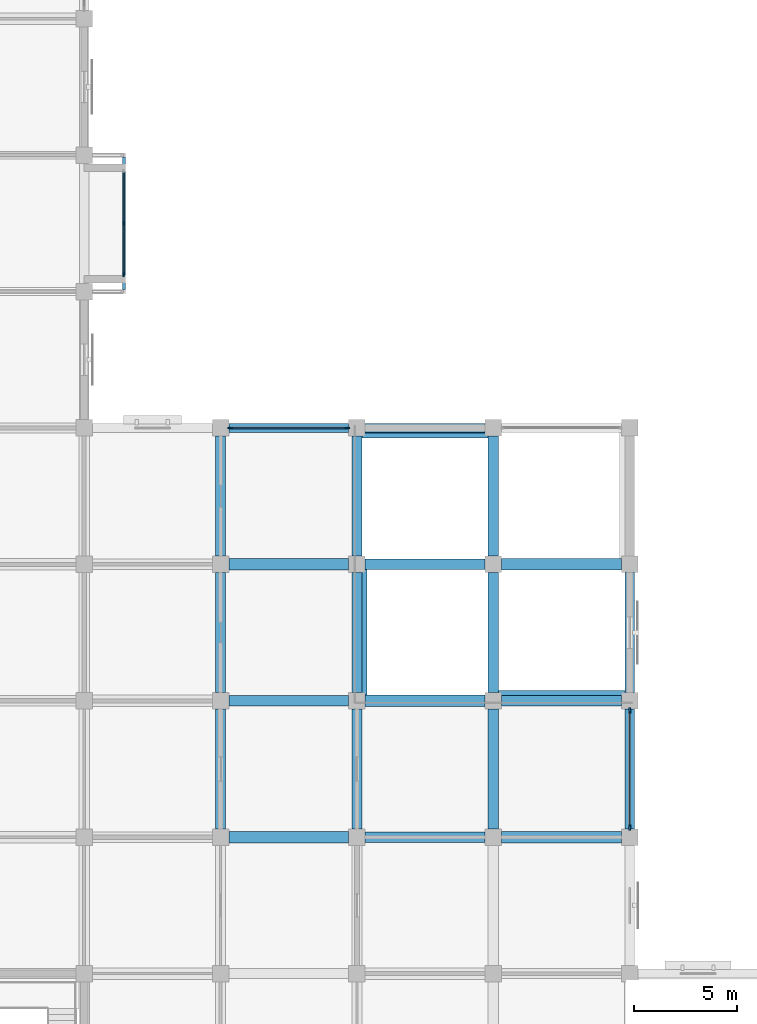
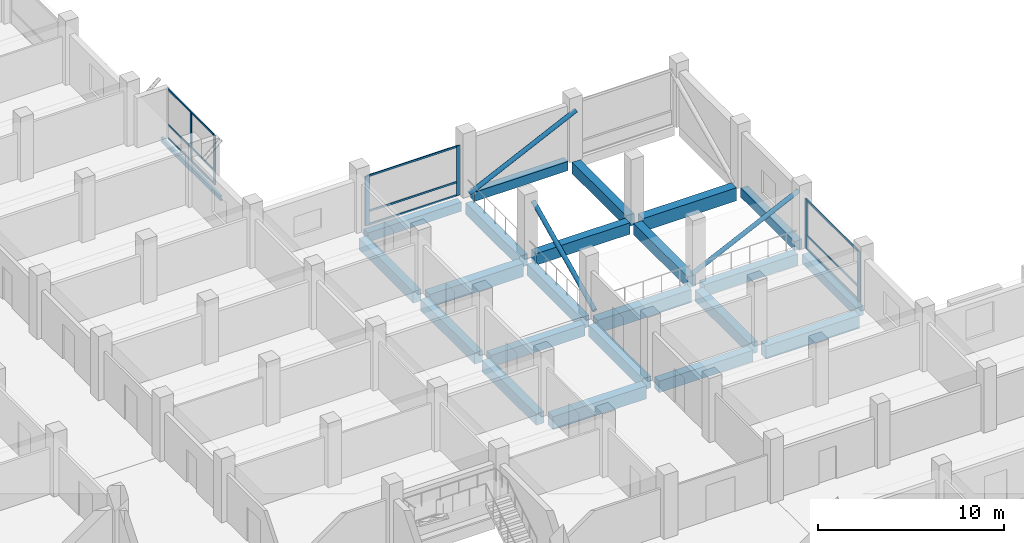
# One storey, part 5 of 30: 23 beams, 21 members, 3 elements without a shape of their own.
"""IFC4 building model written with IfcOpenShell, lengths in metres."""

import ifcopenshell
import ifcopenshell.guid

model = None  # the IFC model being written
_history = None  # IfcOwnerHistory: only IFC2X3 demands one
_inside = {}  # id of a spatial element -> (the spatial element, [elements in it])
_under = {}  # id of a project, library or spatial element -> (it, [spatial elements below it])
_declared = {}  # id of a project -> (the project, [libraries it declares])
_typed = {}  # id of a type object -> (the type object, [elements of that type])
_made_of = {}  # id of a material, layer set ... -> (it, [elements and type objects made of it])


def new_model(schema):
    """Start an empty IFC model of exactly this schema.

    Asked for "IFC4X3", IfcOpenShell would pick the latest addendum, in which some entities
    have other attributes; the version numbers below select the first issue.
    IFC2X3 requires an IfcOwnerHistory on every rooted entity: one is made here for all.
    """
    global model, _history
    if schema == "IFC4X3":
        model = ifcopenshell.file(schema_version=(4, 3, 0, 0))
    else:
        model = ifcopenshell.file(schema=schema)
    _inside.clear()
    _under.clear()
    _declared.clear()
    _typed.clear()
    _made_of.clear()
    _history = None
    if model.schema == "IFC2X3":
        org = make("IfcOrganization", Name="unknown")
        user = make(
            "IfcPersonAndOrganization",
            ThePerson=make("IfcPerson", FamilyName="unknown"),
            TheOrganization=org,
        )
        app = make(
            "IfcApplication",
            ApplicationDeveloper=org,
            Version="unknown",
            ApplicationFullName="unknown",
            ApplicationIdentifier="unknown",
        )
        _history = make(
            "IfcOwnerHistory",
            OwningUser=user,
            OwningApplication=app,
            ChangeAction="ADDED",
            CreationDate=0,
        )
    return model


def make(cls, **values):
    """One entity of the class cls with the attributes given. An attribute that is None is left unset."""
    return model.create_entity(
        cls, **{name: value for name, value in values.items() if value is not None}
    )


def rooted(cls, **values):
    """An entity with a GlobalId (a new one), such as an element, a storey or a relation."""
    return make(cls, GlobalId=ifcopenshell.guid.new(), OwnerHistory=_history, **values)


def si_unit(unit_type, name, prefix=None):
    """IfcSIUnit, for example si_unit("LENGTHUNIT", "METRE", prefix="MILLI")."""
    return make("IfcSIUnit", UnitType=unit_type, Prefix=prefix, Name=name)


def assignment(units):
    """IfcUnitAssignment: the units of a project."""
    return None if units is None else make("IfcUnitAssignment", Units=units)


def point(xyz):
    """IfcCartesianPoint."""
    return None if xyz is None else make("IfcCartesianPoint", Coordinates=xyz)


def direction(xyz):
    """IfcDirection."""
    return None if xyz is None else make("IfcDirection", DirectionRatios=xyz)


def frame(location, z_axis=None, x_axis=None):
    """IfcAxis2Placement3D, a coordinate frame: its origin and axes. An axis left out is left unset."""
    return make(
        "IfcAxis2Placement3D",
        Location=point(location),
        Axis=direction(z_axis),
        RefDirection=direction(x_axis),
    )


def frame_2d(location, x_axis=None):
    """IfcAxis2Placement2D, a coordinate frame in the plane: its origin and x axis."""
    return make(
        "IfcAxis2Placement2D", Location=point(location), RefDirection=direction(x_axis)
    )


def origin():
    """The frame at (0, 0, 0) with its axes left unset."""
    return frame((0.0, 0.0, 0.0))


def origin_2d():
    """The frame at (0, 0) in the plane with its x axis left unset."""
    return frame_2d((0.0, 0.0))


def place(relative_to, where):
    """IfcLocalPlacement: puts the frame where relative to a parent placement (None: the world)."""
    return make(
        "IfcLocalPlacement", PlacementRelTo=relative_to, RelativePlacement=where
    )


def context(
    kind, dimensions, precision=None, world=None, true_north=None, identifier=None
):
    """IfcGeometricRepresentationContext, for example the 3D "Model" context."""
    return make(
        "IfcGeometricRepresentationContext",
        ContextIdentifier=identifier,
        ContextType=kind,
        CoordinateSpaceDimension=dimensions,
        Precision=precision,
        WorldCoordinateSystem=world,
        TrueNorth=true_north,
    )


def subcontext(parent, identifier, kind, view, scale=None):
    """IfcGeometricRepresentationSubContext, for example "Body" below "Model"."""
    return make(
        "IfcGeometricRepresentationSubContext",
        ContextIdentifier=identifier,
        ContextType=kind,
        ParentContext=parent,
        TargetScale=scale,
        TargetView=view,
    )


def project(units=None, contexts=None):
    """IfcProject with its units and contexts."""
    return rooted(
        "IfcProject",
        Name="project",
        RepresentationContexts=contexts,
        UnitsInContext=assignment(units),
    )


def spatial(cls, under=None, at=None, **own):
    """A site, building, storey or space (cls), placed at a placement, below another one or the project."""
    s = rooted(cls, ObjectPlacement=at, **own)
    if under is not None:
        _under.setdefault(under.id(), (under, []))[1].append(s)
    return s


def profile(cls, at=None, kind="AREA", **sizes):
    """A parametric profile (cls). Its sizes go by their IFC names, for example OverallWidth=200.0."""
    return make(cls, ProfileType=kind, Position=at, **sizes)


def rectangle(**sizes):
    """IfcRectangleProfileDef."""
    return profile("IfcRectangleProfileDef", **sizes)


def hollow_circle(**sizes):
    """IfcCircleHollowProfileDef."""
    return profile("IfcCircleHollowProfileDef", **sizes)


def i_section(**sizes):
    """IfcIShapeProfileDef."""
    return profile("IfcIShapeProfileDef", **sizes)


def extrude(swept, where, along, depth):
    """IfcExtrudedAreaSolid: the profile swept, set in the frame where, extruded along a direction by depth."""
    return make(
        "IfcExtrudedAreaSolid",
        SweptArea=swept,
        Position=where,
        ExtrudedDirection=direction(along),
        Depth=depth,
    )


def shape(context_of_items, identifier, shape_type, items):
    """IfcShapeRepresentation: the items that make up one representation, for example the "Body"."""
    return make(
        "IfcShapeRepresentation",
        ContextOfItems=context_of_items,
        RepresentationIdentifier=identifier,
        RepresentationType=shape_type,
        Items=items,
    )


def material(Name=None, Category=None):
    """IfcMaterial."""
    return make("IfcMaterial", Name=Name, Category=Category)


def material_profile(
    of_material, cross_section, Name=None, Category=None, Priority=None
):
    """IfcMaterialProfile: a cross section and its material."""
    return make(
        "IfcMaterialProfile",
        Name=Name,
        Material=of_material,
        Profile=cross_section,
        Priority=Priority,
        Category=Category,
    )


def profile_set(profiles, Name=None, composite=None):
    """IfcMaterialProfileSet."""
    return make(
        "IfcMaterialProfileSet",
        Name=Name,
        MaterialProfiles=profiles,
        CompositeProfile=composite,
    )


def made_of(thing, what):
    """Note that an element or type object is made of a material, layer set ...; save() writes the relation."""
    if what is not None:
        _made_of.setdefault(what.id(), (what, []))[1].append(thing)
    return thing


def type_object(cls, material=None, **own):
    """A type object (cls), such as IfcWallType, which elements share."""
    return made_of(rooted(cls, **own), material)


def element(
    cls,
    number,
    at=None,
    inside=None,
    cuts=None,
    type_object=None,
    material=None,
    context=None,
    identifier="Body",
    shape_type=None,
    held_by="IfcProductDefinitionShape",
    body=None,
    shapes=None,
    **own,
):
    """One element of the class cls, such as IfcWall. Its Tag is "e" and its number.

    at: its placement. inside: the storey or other place that contains it. cuts: it is an
    opening in that element (IfcRelVoidsElement). A single representation is given by context,
    identifier, shape_type and body (its items); several are given by shapes. held_by: the class
    of the entity that holds the representations. save() writes the other relations.
    """
    e = rooted(cls, Tag="e%d" % number, ObjectPlacement=at, **own)
    if body is not None:
        shapes = [shape(context, identifier, shape_type, body)]
    if shapes is not None:
        e.Representation = make(held_by, Representations=shapes)
    if inside is not None:
        _inside.setdefault(inside.id(), (inside, []))[1].append(e)
    if cuts is not None:
        rooted(
            "IfcRelVoidsElement", RelatingBuildingElement=cuts, RelatedOpeningElement=e
        )
    if type_object is not None:
        _typed.setdefault(type_object.id(), (type_object, []))[1].append(e)
    return made_of(e, material)


def aggregate(whole, parts):
    """IfcRelAggregates: a whole, such as a stair, and the parts it consists of."""
    return rooted("IfcRelAggregates", RelatingObject=whole, RelatedObjects=parts)


def save(model, path):
    """Write the relations noted so far, then the file.

    IfcRelAggregates (storeys below a building ...), IfcRelContainedInSpatialStructure (elements
    in a storey), IfcRelDefinesByType, IfcRelAssociatesMaterial and IfcRelDeclares: one each for
    every whole, place, type object, material and project.
    """
    for whole, parts in _under.values():
        aggregate(whole, parts)
    for where, things in _inside.values():
        rooted(
            "IfcRelContainedInSpatialStructure",
            RelatedElements=things,
            RelatingStructure=where,
        )
    for kind, things in _typed.values():
        rooted("IfcRelDefinesByType", RelatedObjects=things, RelatingType=kind)
    for what, things in _made_of.values():
        rooted("IfcRelAssociatesMaterial", RelatedObjects=things, RelatingMaterial=what)
    for by, libraries in _declared.values():
        rooted("IfcRelDeclares", RelatingContext=by, RelatedDefinitions=libraries)
    model.write(path)


model = new_model("IFC4")

# Units and contexts
model_context = context("Model", 3, precision=1e-05, world=origin(), true_north=direction((0.0, 1.0)))
body_context = subcontext(model_context, "Body", "Model", "MODEL_VIEW")
ifc_project = project(units=[si_unit("LENGTHUNIT", "METRE"), si_unit("AREAUNIT", "SQUARE_METRE"), si_unit("VOLUMEUNIT", "CUBIC_METRE"), si_unit("PLANEANGLEUNIT", "RADIAN"), si_unit("MASSUNIT", "GRAM", prefix="KILO")], contexts=[model_context])

# Site, building, storey
site_placement = place(None, origin())
site = spatial("IfcSite", under=ifc_project, at=site_placement, CompositionType="ELEMENT")
building_placement = place(site_placement, origin())
building = spatial("IfcBuilding", under=site, at=building_placement, Name="Rusizi Kubbe Research Institute", CompositionType="ELEMENT")
storey_placement = place(building_placement, frame((0.0, 0.0, 10.199951171875)))
storey = spatial("IfcBuildingStorey", under=building, at=storey_placement, Name="L02", CompositionType="ELEMENT", Elevation=10.199951171875)

# Beams
ifc_material_1 = material(Name="Steel S355", Category="steel")
ifc_material_profile_1 = material_profile(ifc_material_1, i_section(OverallWidth=0.14990234375, OverallDepth=0.300048828125, WebThickness=0.007080078125, FlangeThickness=0.0107421875, at=origin_2d()), Name="IPE 300")
ifc_profile_set_1 = profile_set([ifc_material_profile_1], Name="Steel S355")
beam_type_1 = type_object("IfcBeamType", Name="BM-IPE300", PredefinedType="BEAM", material=ifc_profile_set_1)
beam_1_placement = place(storey_placement, frame((28.324951171875, 59.4951171875, -0.5), z_axis=(0.0, 1.0, 0.0), x_axis=(-1.0, 0.0, 0.0)))
element("IfcBeam", 1, at=beam_1_placement, inside=storey, type_object=beam_type_1, Name="Cumba Edge Tie Beam L02-1", PredefinedType="BEAM", context=body_context, shape_type="SweptSolid", body=[
    extrude(i_section(OverallWidth=0.14990234375, OverallDepth=0.300048828125, WebThickness=0.007080078125, FlangeThickness=0.0107421875, at=origin_2d()), origin(), (0.0, 0.0, 1.0), 6.409912109375),
])
ifc_material_2 = material(Name="Concrete C40/50", Category="concrete")
ifc_material_profile_2 = material_profile(ifc_material_2, rectangle(XDim=0.449951171875, YDim=0.60009765625, at=origin_2d()), Name="RC450x600")
ifc_profile_set_2 = profile_set([ifc_material_profile_2], Name="Concrete C40/50")
beam_type_2 = type_object("IfcBeamType", Name="BM-RC450x600", PredefinedType="SPANDREL", material=ifc_profile_set_2)
for number, where, z_axis, x_axis, name in (
    (2, (33.39990234375, 52.800048828125, -0.64990234375), (1.0, 0.0, 0.0), (0.0, 1.0, 0.0), "Grid Beam H L02 (5,8)"),
    (3, (40.0, 52.800048828125, -0.300048828125), (1.0, 0.0, 0.0), (0.0, 1.0, 0.0), "Grid Beam H L02 (6,8)"),
    (4, (52.800048828125, 33.39990234375, -0.64990234375), (0.0, 1.0, 0.0), (-1.0, 0.0, 0.0), "Grid Beam V L02 (8,5)"),
    (5, (52.800048828125, 40.0, -0.300048828125), (0.0, 1.0, 0.0), (-1.0, 0.0, 0.0), "Grid Beam V L02 (8,6)"),
):
    element("IfcBeam", number, at=place(storey_placement, frame(where, z_axis=z_axis, x_axis=x_axis)), inside=storey, type_object=beam_type_2, Name=name, PredefinedType="SPANDREL", context=body_context, shape_type="SweptSolid", body=[
        extrude(rectangle(XDim=0.449951171875, YDim=0.60009765625, at=origin_2d()), origin(), (0.0, 0.0, 1.0), 5.800048828125),
    ])
ifc_material_3 = material(Name="Concrete C45/55", Category="concrete")
ifc_material_profile_3 = material_profile(ifc_material_3, rectangle(XDim=0.5, YDim=0.75, at=origin_2d()), Name="RC500x750B")
ifc_profile_set_3 = profile_set([ifc_material_profile_3], Name="Concrete C45/55")
beam_type_3 = type_object("IfcBeamType", Name="BM-RC500x750", PredefinedType="BEAM", material=ifc_profile_set_3)
for number, where, z_axis, x_axis, name in (
    (6, (33.39990234375, 39.60009765625, -0.724853515625), (1.0, 0.0, 0.0), (0.0, 1.0, 0.0), "Grid Beam H L02 (5,6)"),
    (7, (40.0, 33.0, -0.724853515625), (1.0, 0.0, 0.0), (0.0, 1.0, 0.0), "Grid Beam H L02 (6,5)"),
    (8, (40.0, 46.199951171875, -0.375), (1.0, 0.0, 0.0), (0.0, 1.0, 0.0), "Grid Beam H L02 (6,7)"),
):
    element("IfcBeam", number, at=place(storey_placement, frame(where, z_axis=z_axis, x_axis=x_axis)), inside=storey, type_object=beam_type_3, Name=name, PredefinedType="BEAM", context=body_context, shape_type="SweptSolid", body=[
        extrude(rectangle(XDim=0.5, YDim=0.75, at=origin_2d()), origin(), (0.0, 0.0, 1.0), 5.800048828125),
    ])
beam_2_placement = place(storey_placement, frame((46.60009765625, 39.60009765625, -0.724853515625), z_axis=(1.0, 0.0, 0.0), x_axis=(0.0, 1.0, 0.0)))
element("IfcBeam", 9, at=beam_2_placement, inside=storey, type_object=beam_type_3, Name="Grid Beam H L02 (7,6)", PredefinedType="BEAM", context=body_context, shape_type="SweptSolid", body=[
    extrude(rectangle(XDim=0.5, YDim=0.75, at=origin_2d()), origin(), (0.0, 0.0, 1.0), 5.7998046875),
])
for number, where, z_axis, x_axis, name in (
    (10, (33.0, 33.39990234375, -0.724853515625), (0.0, 1.0, 0.0), (-1.0, 0.0, 0.0), "Grid Beam V L02 (5,5)"),
    (11, (33.0, 40.0, -0.724853515625), (0.0, 1.0, 0.0), (-1.0, 0.0, 0.0), "Grid Beam V L02 (5,6)"),
):
    element("IfcBeam", number, at=place(storey_placement, frame(where, z_axis=z_axis, x_axis=x_axis)), inside=storey, type_object=beam_type_3, Name=name, PredefinedType="BEAM", context=body_context, shape_type="SweptSolid", body=[
        extrude(rectangle(XDim=0.5, YDim=0.75, at=origin_2d()), origin(), (0.0, 0.0, 1.0), 5.800048828125),
    ])
beam_3_placement = place(storey_placement, frame((33.0, 46.60009765625, -0.724853515625), z_axis=(0.0, 1.0, 0.0), x_axis=(-1.0, 0.0, 0.0)))
element("IfcBeam", 12, at=beam_3_placement, inside=storey, type_object=beam_type_3, Name="Grid Beam V L02 (5,7)", PredefinedType="BEAM", context=body_context, shape_type="SweptSolid", body=[
    extrude(rectangle(XDim=0.5, YDim=0.75, at=origin_2d()), origin(), (0.0, 0.0, 1.0), 5.7998046875),
])
for number, where, z_axis, x_axis, name in (
    (13, (39.60009765625, 33.39990234375, -0.724853515625), (0.0, 1.0, 0.0), (-1.0, 0.0, 0.0), "Grid Beam V L02 (6,5)"),
    (14, (39.60009765625, 40.0, -0.724853515625), (0.0, 1.0, 0.0), (-1.0, 0.0, 0.0), "Grid Beam V L02 (6,6)"),
):
    element("IfcBeam", number, at=place(storey_placement, frame(where, z_axis=z_axis, x_axis=x_axis)), inside=storey, type_object=beam_type_3, Name=name, PredefinedType="BEAM", context=body_context, shape_type="SweptSolid", body=[
        extrude(rectangle(XDim=0.5, YDim=0.75, at=origin_2d()), origin(), (0.0, 0.0, 1.0), 5.800048828125),
    ])
beam_4_placement = place(storey_placement, frame((39.60009765625, 46.60009765625, -0.724853515625), z_axis=(0.0, 1.0, 0.0), x_axis=(-1.0, 0.0, 0.0)))
element("IfcBeam", 15, at=beam_4_placement, inside=storey, type_object=beam_type_3, Name="Grid Beam V L02 (6,7)", PredefinedType="BEAM", context=body_context, shape_type="SweptSolid", body=[
    extrude(rectangle(XDim=0.5, YDim=0.75, at=origin_2d()), origin(), (0.0, 0.0, 1.0), 5.7998046875),
])
for number, where, z_axis, x_axis, name in (
    (16, (46.199951171875, 33.39990234375, -0.724853515625), (0.0, 1.0, 0.0), (-1.0, 0.0, 0.0), "Grid Beam V L02 (7,5)"),
    (17, (46.199951171875, 40.0, -0.375), (0.0, 1.0, 0.0), (-1.0, 0.0, 0.0), "Grid Beam V L02 (7,6)"),
):
    element("IfcBeam", number, at=place(storey_placement, frame(where, z_axis=z_axis, x_axis=x_axis)), inside=storey, type_object=beam_type_3, Name=name, PredefinedType="BEAM", context=body_context, shape_type="SweptSolid", body=[
        extrude(rectangle(XDim=0.5, YDim=0.75, at=origin_2d()), origin(), (0.0, 0.0, 1.0), 5.800048828125),
    ])
beam_5_placement = place(storey_placement, frame((46.199951171875, 46.60009765625, -0.375), z_axis=(0.0, 1.0, 0.0), x_axis=(-1.0, 0.0, 0.0)))
element("IfcBeam", 18, at=beam_5_placement, inside=storey, type_object=beam_type_3, Name="Grid Beam V L02 (7,7)", PredefinedType="BEAM", context=body_context, shape_type="SweptSolid", body=[
    extrude(rectangle(XDim=0.5, YDim=0.75, at=origin_2d()), origin(), (0.0, 0.0, 1.0), 5.7998046875),
])
ifc_material_4 = material(Name="Concrete C45/55", Category="concrete")
ifc_material_profile_4 = material_profile(ifc_material_4, rectangle(XDim=0.550048828125, YDim=0.85009765625, at=origin_2d()), Name="RC550x850")
ifc_profile_set_4 = profile_set([ifc_material_profile_4], Name="Concrete C45/55")
beam_type_4 = type_object("IfcBeamType", Name="BM-RC550x850", PredefinedType="BEAM", material=ifc_profile_set_4)
for number, where, z_axis, x_axis, name in (
    (19, (33.39990234375, 33.0, -0.77490234375), (1.0, 0.0, 0.0), (0.0, 1.0, 0.0), "Grid Beam H L02 (5,5)"),
    (20, (33.39990234375, 46.199951171875, -0.77490234375), (1.0, 0.0, 0.0), (0.0, 1.0, 0.0), "Grid Beam H L02 (5,7)"),
    (21, (40.0, 39.60009765625, -0.77490234375), (1.0, 0.0, 0.0), (0.0, 1.0, 0.0), "Grid Beam H L02 (6,6)"),
):
    element("IfcBeam", number, at=place(storey_placement, frame(where, z_axis=z_axis, x_axis=x_axis)), inside=storey, type_object=beam_type_4, Name=name, PredefinedType="BEAM", context=body_context, shape_type="SweptSolid", body=[
        extrude(rectangle(XDim=0.550048828125, YDim=0.85009765625, at=origin_2d()), origin(), (0.0, 0.0, 1.0), 5.800048828125),
    ])
for number, where, z_axis, x_axis, name in (
    (22, (46.60009765625, 33.0, -0.77490234375), (1.0, 0.0, 0.0), (0.0, 1.0, 0.0), "Grid Beam H L02 (7,5)"),
    (23, (46.60009765625, 46.199951171875, -0.425048828125), (1.0, 0.0, 0.0), (0.0, 1.0, 0.0), "Grid Beam H L02 (7,7)"),
):
    element("IfcBeam", number, at=place(storey_placement, frame(where, z_axis=z_axis, x_axis=x_axis)), inside=storey, type_object=beam_type_4, Name=name, PredefinedType="BEAM", context=body_context, shape_type="SweptSolid", body=[
        extrude(rectangle(XDim=0.550048828125, YDim=0.85009765625, at=origin_2d()), origin(), (0.0, 0.0, 1.0), 5.7998046875),
    ])

# Members
ifc_material_5 = material(Name="Steel S355", Category="steel")
ifc_material_profile_5 = material_profile(ifc_material_5, hollow_circle(Radius=0.136474609375, WallThickness=0.010009765625, at=origin_2d()), Name="CHS 273.0x10.0")
ifc_profile_set_5 = profile_set([ifc_material_profile_5], Name="Steel S355")
member_type_1 = type_object("IfcMemberType", Name="MB-CHS273", PredefinedType="BRACE", material=ifc_profile_set_5)
member_1_placement = place(storey_placement, frame((39.9599609375, 39.60009765625, 0.150146484375), z_axis=(0.0, 0.902482512482, 0.430726496358), x_axis=(-1.0, 0.0, 0.0)))
element("IfcMember", 24, at=member_1_placement, inside=storey, type_object=member_type_1, Name="Atrium Frame Lateral Brace L02-W", PredefinedType="BRACE", context=body_context, shape_type="SweptSolid", body=[
    extrude(hollow_circle(Radius=0.136474609375, WallThickness=0.010009765625, at=origin_2d()), origin(), (0.0, 0.0, 1.0), 7.31298828125),
])
member_2_placement = place(storey_placement, frame((46.199951171875, 39.9599609375, 0.150146484375), z_axis=(0.902488705867, 0.0, 0.430713519387), x_axis=(0.0, 1.0, 0.0)))
element("IfcMember", 25, at=member_2_placement, inside=storey, type_object=member_type_1, Name="Atrium Frame Lateral Brace L02-S", PredefinedType="BRACE", context=body_context, shape_type="SweptSolid", body=[
    extrude(hollow_circle(Radius=0.136474609375, WallThickness=0.010009765625, at=origin_2d()), origin(), (0.0, 0.0, 1.0), 7.313232421875),
])
member_3_placement = place(storey_placement, frame((39.60009765625, 52.43994140625, 0.150146484375), z_axis=(0.902482512482, 0.0, 0.430726496358), x_axis=(0.0, 1.0, 0.0)))
element("IfcMember", 26, at=member_3_placement, inside=storey, type_object=member_type_1, Name="Atrium Frame Lateral Brace L02-N", PredefinedType="BRACE", context=body_context, shape_type="SweptSolid", body=[
    extrude(hollow_circle(Radius=0.136474609375, WallThickness=0.010009765625, at=origin_2d()), origin(), (0.0, 0.0, 1.0), 7.31298828125),
])

# Curtain wall, members
ifc_material_6 = material(Name="Thermally Broken Aluminium and Low-E Glazing", Category="aluminium")
curtain_wall_type_1 = type_object("IfcCurtainWallType", Name="CW-01", PredefinedType="NOTDEFINED", material=ifc_material_6)
curtain_wall_1_placement = place(storey_placement, origin())
curtain_wall_1 = element("IfcCurtainWall", 27, at=curtain_wall_1_placement, inside=storey, type_object=curtain_wall_type_1, Name="Cumba Glazed Curtain Wall CW-CUMBA-L02-020", PredefinedType="NOTDEFINED")
ifc_material_7 = material(Name="Aluminium Alloy 6063-T6", Category="aluminium")
ifc_material_profile_6 = material_profile(ifc_material_7, rectangle(XDim=0.06494140625, YDim=0.199951171875, at=origin_2d()), Name="ALU-M 65x200")
ifc_profile_set_6 = profile_set([ifc_material_profile_6], Name="Aluminium Alloy 6063-T6")
member_type_2 = type_object("IfcMemberType", Name="ML-03", PredefinedType="MULLION", material=ifc_profile_set_6)
member_4_placement = place(storey_placement, frame((28.300048828125, 60.215087890625, 0.0), z_axis=(0.0, 0.0, 1.0), x_axis=(-1.0, 0.0, 0.0)))
member_4 = element("IfcMember", 28, at=member_4_placement, type_object=member_type_2, Name="CW-01 mullion 1", PredefinedType="MULLION", context=body_context, shape_type="SweptSolid", body=[
    extrude(rectangle(XDim=0.06494140625, YDim=0.199951171875, at=origin_2d()), origin(), (0.0, 0.0, 1.0), 3.25),
])
member_5_placement = place(storey_placement, frame((28.300048828125, 62.699951171875, 0.0), z_axis=(0.0, 0.0, 1.0), x_axis=(-1.0, 0.0, 0.0)))
member_5 = element("IfcMember", 29, at=member_5_placement, type_object=member_type_2, Name="CW-01 mullion 2", PredefinedType="MULLION", context=body_context, shape_type="SweptSolid", body=[
    extrude(rectangle(XDim=0.06494140625, YDim=0.199951171875, at=origin_2d()), origin(), (0.0, 0.0, 1.0), 3.25),
])

ifc_material_8 = material(Name="Thermally Broken Aluminium and Low-E Glazing", Category="aluminium")
curtain_wall_type_2 = type_object("IfcCurtainWallType", Name="CW-05", PredefinedType="NOTDEFINED", material=ifc_material_8)
curtain_wall_2_placement = place(storey_placement, origin())
curtain_wall_2 = element("IfcCurtainWall", 30, at=curtain_wall_2_placement, inside=storey, type_object=curtain_wall_type_2, Name="Unitised Facade Curtain Wall CW-L02-H-05-08", PredefinedType="NOTDEFINED")
ifc_material_9 = material(Name="Aluminium Alloy 6063-T6", Category="aluminium")
ifc_material_profile_7 = material_profile(ifc_material_9, rectangle(XDim=0.074951171875, YDim=0.25, at=origin_2d()), Name="ALU-M 75x250")
ifc_profile_set_7 = profile_set([ifc_material_profile_7], Name="Aluminium Alloy 6063-T6")
member_type_3 = type_object("IfcMemberType", Name="ML-05", PredefinedType="MULLION", material=ifc_profile_set_7)
member_6_placement = place(storey_placement, frame((33.467529296875, 52.800048828125, 0.0), z_axis=(0.0, 0.0, 1.0), x_axis=(0.0, 1.0, 0.0)))
member_6 = element("IfcMember", 31, at=member_6_placement, type_object=member_type_3, Name="CW-05 mullion 1", PredefinedType="MULLION", context=body_context, shape_type="SweptSolid", body=[
    extrude(rectangle(XDim=0.074951171875, YDim=0.25, at=origin_2d()), origin(), (0.0, 0.0, 1.0), 3.25),
])
member_7_placement = place(storey_placement, frame((39.132568359375, 52.800048828125, 0.0), z_axis=(0.0, 0.0, 1.0), x_axis=(0.0, 1.0, 0.0)))
member_7 = element("IfcMember", 32, at=member_7_placement, type_object=member_type_3, Name="CW-05 mullion 2", PredefinedType="MULLION", context=body_context, shape_type="SweptSolid", body=[
    extrude(rectangle(XDim=0.074951171875, YDim=0.25, at=origin_2d()), origin(), (0.0, 0.0, 1.0), 3.25),
])

curtain_wall_3_placement = place(storey_placement, origin())
curtain_wall_3 = element("IfcCurtainWall", 33, at=curtain_wall_3_placement, inside=storey, type_object=curtain_wall_type_2, Name="Unitised Facade Curtain Wall CW-L02-V-08-05", PredefinedType="NOTDEFINED")
ifc_material_10 = material(Name="Aluminium Alloy 6063-T6", Category="aluminium")
ifc_material_profile_8 = material_profile(ifc_material_10, rectangle(XDim=0.080078125, YDim=0.280029296875, at=origin_2d()), Name="ALU-M 80x280")
ifc_profile_set_8 = profile_set([ifc_material_profile_8], Name="Aluminium Alloy 6063-T6")
member_type_4 = type_object("IfcMemberType", Name="ML-06", PredefinedType="MULLION", material=ifc_profile_set_8)
member_8_placement = place(storey_placement, frame((52.800048828125, 33.469970703125, 0.0), z_axis=(0.0, 0.0, 1.0), x_axis=(-1.0, 0.0, 0.0)))
member_8 = element("IfcMember", 34, at=member_8_placement, type_object=member_type_4, Name="CW-05 mullion 1", PredefinedType="MULLION", context=body_context, shape_type="SweptSolid", body=[
    extrude(rectangle(XDim=0.080078125, YDim=0.280029296875, at=origin_2d()), origin(), (0.0, 0.0, 1.0), 3.25),
])
member_9_placement = place(storey_placement, frame((52.800048828125, 39.1298828125, 0.0), z_axis=(0.0, 0.0, 1.0), x_axis=(-1.0, 0.0, 0.0)))
member_9 = element("IfcMember", 35, at=member_9_placement, type_object=member_type_4, Name="CW-05 mullion 2", PredefinedType="MULLION", context=body_context, shape_type="SweptSolid", body=[
    extrude(rectangle(XDim=0.080078125, YDim=0.280029296875, at=origin_2d()), origin(), (0.0, 0.0, 1.0), 3.25),
])

# Member
ifc_material_11 = material(Name="Aluminium Alloy 6063-T6", Category="aluminium")
ifc_material_profile_9 = material_profile(ifc_material_11, rectangle(XDim=0.06005859375, YDim=0.1201171875, at=origin_2d()), Name="ALU-T 60x120")
ifc_profile_set_9 = profile_set([ifc_material_profile_9], Name="Aluminium Alloy 6063-T6")
member_type_5 = type_object("IfcMemberType", Name="TR-01", PredefinedType="USERDEFINED", material=ifc_profile_set_9)
member_10_placement = place(storey_placement, frame((28.300048828125, 60.24755859375, 0.030029296875), z_axis=(0.0, 1.0, 0.0), x_axis=(-1.0, 0.0, 0.0)))
member_10 = element("IfcMember", 36, at=member_10_placement, type_object=member_type_5, Name="CW-01 transom 1.1", ObjectType="TRANSOM", PredefinedType="USERDEFINED", context=body_context, shape_type="SweptSolid", body=[
    extrude(rectangle(XDim=0.06005859375, YDim=0.1201171875, at=origin_2d()), origin(), (0.0, 0.0, 1.0), 2.419921875),
])

member_11_placement = place(storey_placement, frame((28.300048828125, 60.24755859375, 0.900146484375), z_axis=(0.0, 1.0, 0.0), x_axis=(-1.0, 0.0, 0.0)))
member_11 = element("IfcMember", 37, at=member_11_placement, type_object=member_type_5, Name="CW-01 transom 1.2", ObjectType="TRANSOM", PredefinedType="USERDEFINED", context=body_context, shape_type="SweptSolid", body=[
    extrude(rectangle(XDim=0.06005859375, YDim=0.1201171875, at=origin_2d()), origin(), (0.0, 0.0, 1.0), 2.419921875),
])

member_12_placement = place(storey_placement, frame((28.300048828125, 60.24755859375, 3.219970703125), z_axis=(0.0, 1.0, 0.0), x_axis=(-1.0, 0.0, 0.0)))
member_12 = element("IfcMember", 38, at=member_12_placement, type_object=member_type_5, Name="CW-01 transom 1.3", ObjectType="TRANSOM", PredefinedType="USERDEFINED", context=body_context, shape_type="SweptSolid", body=[
    extrude(rectangle(XDim=0.06005859375, YDim=0.1201171875, at=origin_2d()), origin(), (0.0, 0.0, 1.0), 2.419921875),
])

member_13_placement = place(storey_placement, frame((28.300048828125, 62.732421875, 0.030029296875), z_axis=(0.0, 1.0, 0.0), x_axis=(-1.0, 0.0, 0.0)))
member_13 = element("IfcMember", 39, at=member_13_placement, type_object=member_type_5, Name="CW-01 transom 2.1", ObjectType="TRANSOM", PredefinedType="USERDEFINED", context=body_context, shape_type="SweptSolid", body=[
    extrude(rectangle(XDim=0.06005859375, YDim=0.1201171875, at=origin_2d()), origin(), (0.0, 0.0, 1.0), 2.420166015625),
])

member_14_placement = place(storey_placement, frame((28.300048828125, 62.732421875, 0.900146484375), z_axis=(0.0, 1.0, 0.0), x_axis=(-1.0, 0.0, 0.0)))
member_14 = element("IfcMember", 40, at=member_14_placement, type_object=member_type_5, Name="CW-01 transom 2.2", ObjectType="TRANSOM", PredefinedType="USERDEFINED", context=body_context, shape_type="SweptSolid", body=[
    extrude(rectangle(XDim=0.06005859375, YDim=0.1201171875, at=origin_2d()), origin(), (0.0, 0.0, 1.0), 2.420166015625),
])

member_15_placement = place(storey_placement, frame((28.300048828125, 62.732421875, 3.219970703125), z_axis=(0.0, 1.0, 0.0), x_axis=(-1.0, 0.0, 0.0)))
member_15 = element("IfcMember", 41, at=member_15_placement, type_object=member_type_5, Name="CW-01 transom 2.3", ObjectType="TRANSOM", PredefinedType="USERDEFINED", context=body_context, shape_type="SweptSolid", body=[
    extrude(rectangle(XDim=0.06005859375, YDim=0.1201171875, at=origin_2d()), origin(), (0.0, 0.0, 1.0), 2.420166015625),
])

aggregate(curtain_wall_1, [member_4, member_5, member_10, member_11, member_12, member_13, member_14, member_15])

member_16_placement = place(storey_placement, frame((33.5048828125, 52.800048828125, 0.030029296875), z_axis=(1.0, 0.0, 0.0), x_axis=(0.0, 1.0, 0.0)))
member_16 = element("IfcMember", 42, at=member_16_placement, type_object=member_type_5, Name="CW-05 transom 1.1", ObjectType="TRANSOM", PredefinedType="USERDEFINED", context=body_context, shape_type="SweptSolid", body=[
    extrude(rectangle(XDim=0.06005859375, YDim=0.1201171875, at=origin_2d()), origin(), (0.0, 0.0, 1.0), 5.590087890625),
])

member_17_placement = place(storey_placement, frame((33.5048828125, 52.800048828125, 0.900146484375), z_axis=(1.0, 0.0, 0.0), x_axis=(0.0, 1.0, 0.0)))
member_17 = element("IfcMember", 43, at=member_17_placement, type_object=member_type_5, Name="CW-05 transom 1.2", ObjectType="TRANSOM", PredefinedType="USERDEFINED", context=body_context, shape_type="SweptSolid", body=[
    extrude(rectangle(XDim=0.06005859375, YDim=0.1201171875, at=origin_2d()), origin(), (0.0, 0.0, 1.0), 5.590087890625),
])

member_18_placement = place(storey_placement, frame((33.5048828125, 52.800048828125, 3.219970703125), z_axis=(1.0, 0.0, 0.0), x_axis=(0.0, 1.0, 0.0)))
member_18 = element("IfcMember", 44, at=member_18_placement, type_object=member_type_5, Name="CW-05 transom 1.3", ObjectType="TRANSOM", PredefinedType="USERDEFINED", context=body_context, shape_type="SweptSolid", body=[
    extrude(rectangle(XDim=0.06005859375, YDim=0.1201171875, at=origin_2d()), origin(), (0.0, 0.0, 1.0), 5.590087890625),
])

aggregate(curtain_wall_2, [member_6, member_7, member_16, member_17, member_18])

ifc_material_12 = material(Name="Aluminium Alloy 6063-T6", Category="aluminium")
ifc_material_profile_10 = material_profile(ifc_material_12, rectangle(XDim=0.06005859375, YDim=0.139892578125, at=origin_2d()), Name="ALU-T 60x140")
ifc_profile_set_10 = profile_set([ifc_material_profile_10], Name="Aluminium Alloy 6063-T6")
member_type_6 = type_object("IfcMemberType", Name="TR-02", PredefinedType="USERDEFINED", material=ifc_profile_set_10)
member_19_placement = place(storey_placement, frame((52.800048828125, 33.510009765625, 0.030029296875), z_axis=(0.0, 1.0, 0.0), x_axis=(-1.0, 0.0, 0.0)))
member_19 = element("IfcMember", 45, at=member_19_placement, type_object=member_type_6, Name="CW-05 transom 1.1", ObjectType="TRANSOM", PredefinedType="USERDEFINED", context=body_context, shape_type="SweptSolid", body=[
    extrude(rectangle(XDim=0.06005859375, YDim=0.139892578125, at=origin_2d()), origin(), (0.0, 0.0, 1.0), 5.580078125),
])

member_20_placement = place(storey_placement, frame((52.800048828125, 33.510009765625, 0.900146484375), z_axis=(0.0, 1.0, 0.0), x_axis=(-1.0, 0.0, 0.0)))
member_20 = element("IfcMember", 46, at=member_20_placement, type_object=member_type_6, Name="CW-05 transom 1.2", ObjectType="TRANSOM", PredefinedType="USERDEFINED", context=body_context, shape_type="SweptSolid", body=[
    extrude(rectangle(XDim=0.06005859375, YDim=0.139892578125, at=origin_2d()), origin(), (0.0, 0.0, 1.0), 5.580078125),
])

member_21_placement = place(storey_placement, frame((52.800048828125, 33.510009765625, 3.219970703125), z_axis=(0.0, 1.0, 0.0), x_axis=(-1.0, 0.0, 0.0)))
member_21 = element("IfcMember", 47, at=member_21_placement, type_object=member_type_6, Name="CW-05 transom 1.3", ObjectType="TRANSOM", PredefinedType="USERDEFINED", context=body_context, shape_type="SweptSolid", body=[
    extrude(rectangle(XDim=0.06005859375, YDim=0.139892578125, at=origin_2d()), origin(), (0.0, 0.0, 1.0), 5.580078125),
])

aggregate(curtain_wall_3, [member_8, member_9, member_19, member_20, member_21])

save(model, "model.ifc")
